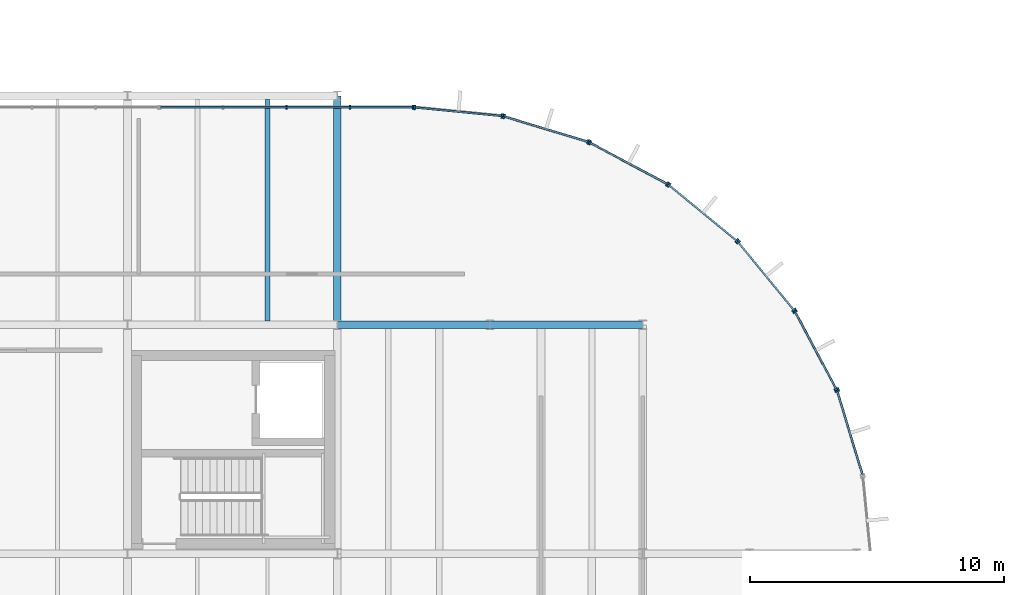
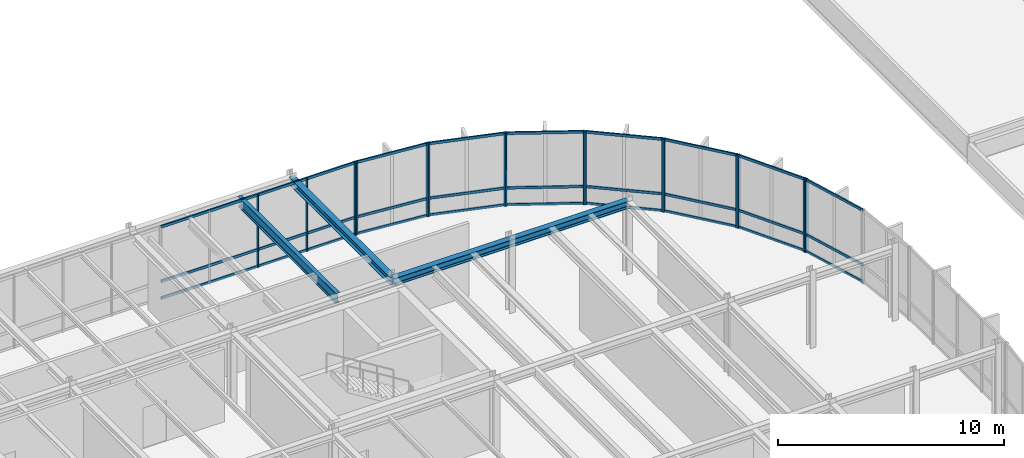
# One storey, part 15 of 31: 40 members, 4 beams, 8 elements without a shape of their own.
"""IFC4 building model written with IfcOpenShell, lengths in metres."""

import ifcopenshell
import ifcopenshell.guid

model = None  # the IFC model being written
_history = None  # IfcOwnerHistory: only IFC2X3 demands one
_inside = {}  # id of a spatial element -> (the spatial element, [elements in it])
_under = {}  # id of a project, library or spatial element -> (it, [spatial elements below it])
_declared = {}  # id of a project -> (the project, [libraries it declares])
_typed = {}  # id of a type object -> (the type object, [elements of that type])
_made_of = {}  # id of a material, layer set ... -> (it, [elements and type objects made of it])


def new_model(schema):
    """Start an empty IFC model of exactly this schema.

    Asked for "IFC4X3", IfcOpenShell would pick the latest addendum, in which some entities
    have other attributes; the version numbers below select the first issue.
    IFC2X3 requires an IfcOwnerHistory on every rooted entity: one is made here for all.
    """
    global model, _history
    if schema == "IFC4X3":
        model = ifcopenshell.file(schema_version=(4, 3, 0, 0))
    else:
        model = ifcopenshell.file(schema=schema)
    _inside.clear()
    _under.clear()
    _declared.clear()
    _typed.clear()
    _made_of.clear()
    _history = None
    if model.schema == "IFC2X3":
        org = make("IfcOrganization", Name="unknown")
        user = make(
            "IfcPersonAndOrganization",
            ThePerson=make("IfcPerson", FamilyName="unknown"),
            TheOrganization=org,
        )
        app = make(
            "IfcApplication",
            ApplicationDeveloper=org,
            Version="unknown",
            ApplicationFullName="unknown",
            ApplicationIdentifier="unknown",
        )
        _history = make(
            "IfcOwnerHistory",
            OwningUser=user,
            OwningApplication=app,
            ChangeAction="ADDED",
            CreationDate=0,
        )
    return model


def make(cls, **values):
    """One entity of the class cls with the attributes given. An attribute that is None is left unset."""
    return model.create_entity(
        cls, **{name: value for name, value in values.items() if value is not None}
    )


def rooted(cls, **values):
    """An entity with a GlobalId (a new one), such as an element, a storey or a relation."""
    return make(cls, GlobalId=ifcopenshell.guid.new(), OwnerHistory=_history, **values)


def si_unit(unit_type, name, prefix=None):
    """IfcSIUnit, for example si_unit("LENGTHUNIT", "METRE", prefix="MILLI")."""
    return make("IfcSIUnit", UnitType=unit_type, Prefix=prefix, Name=name)


def assignment(units):
    """IfcUnitAssignment: the units of a project."""
    return None if units is None else make("IfcUnitAssignment", Units=units)


def point(xyz):
    """IfcCartesianPoint."""
    return None if xyz is None else make("IfcCartesianPoint", Coordinates=xyz)


def direction(xyz):
    """IfcDirection."""
    return None if xyz is None else make("IfcDirection", DirectionRatios=xyz)


def frame(location, z_axis=None, x_axis=None):
    """IfcAxis2Placement3D, a coordinate frame: its origin and axes. An axis left out is left unset."""
    return make(
        "IfcAxis2Placement3D",
        Location=point(location),
        Axis=direction(z_axis),
        RefDirection=direction(x_axis),
    )


def frame_2d(location, x_axis=None):
    """IfcAxis2Placement2D, a coordinate frame in the plane: its origin and x axis."""
    return make(
        "IfcAxis2Placement2D", Location=point(location), RefDirection=direction(x_axis)
    )


def origin():
    """The frame at (0, 0, 0) with its axes left unset."""
    return frame((0.0, 0.0, 0.0))


def origin_2d():
    """The frame at (0, 0) in the plane with its x axis left unset."""
    return frame_2d((0.0, 0.0))


def place(relative_to, where):
    """IfcLocalPlacement: puts the frame where relative to a parent placement (None: the world)."""
    return make(
        "IfcLocalPlacement", PlacementRelTo=relative_to, RelativePlacement=where
    )


def context(
    kind, dimensions, precision=None, world=None, true_north=None, identifier=None
):
    """IfcGeometricRepresentationContext, for example the 3D "Model" context."""
    return make(
        "IfcGeometricRepresentationContext",
        ContextIdentifier=identifier,
        ContextType=kind,
        CoordinateSpaceDimension=dimensions,
        Precision=precision,
        WorldCoordinateSystem=world,
        TrueNorth=true_north,
    )


def subcontext(parent, identifier, kind, view, scale=None):
    """IfcGeometricRepresentationSubContext, for example "Body" below "Model"."""
    return make(
        "IfcGeometricRepresentationSubContext",
        ContextIdentifier=identifier,
        ContextType=kind,
        ParentContext=parent,
        TargetScale=scale,
        TargetView=view,
    )


def project(units=None, contexts=None):
    """IfcProject with its units and contexts."""
    return rooted(
        "IfcProject",
        Name="project",
        RepresentationContexts=contexts,
        UnitsInContext=assignment(units),
    )


def spatial(cls, under=None, at=None, **own):
    """A site, building, storey or space (cls), placed at a placement, below another one or the project."""
    s = rooted(cls, ObjectPlacement=at, **own)
    if under is not None:
        _under.setdefault(under.id(), (under, []))[1].append(s)
    return s


def profile(cls, at=None, kind="AREA", **sizes):
    """A parametric profile (cls). Its sizes go by their IFC names, for example OverallWidth=200.0."""
    return make(cls, ProfileType=kind, Position=at, **sizes)


def rectangle(**sizes):
    """IfcRectangleProfileDef."""
    return profile("IfcRectangleProfileDef", **sizes)


def i_section(**sizes):
    """IfcIShapeProfileDef."""
    return profile("IfcIShapeProfileDef", **sizes)


def extrude(swept, where, along, depth):
    """IfcExtrudedAreaSolid: the profile swept, set in the frame where, extruded along a direction by depth."""
    return make(
        "IfcExtrudedAreaSolid",
        SweptArea=swept,
        Position=where,
        ExtrudedDirection=direction(along),
        Depth=depth,
    )


def shape(context_of_items, identifier, shape_type, items):
    """IfcShapeRepresentation: the items that make up one representation, for example the "Body"."""
    return make(
        "IfcShapeRepresentation",
        ContextOfItems=context_of_items,
        RepresentationIdentifier=identifier,
        RepresentationType=shape_type,
        Items=items,
    )


def material(Name=None, Category=None):
    """IfcMaterial."""
    return make("IfcMaterial", Name=Name, Category=Category)


def layer(
    of_material, thickness, ventilated=None, Name=None, Category=None, Priority=None
):
    """IfcMaterialLayer: one layer of a wall or slab, of a material (None: an air gap)."""
    return make(
        "IfcMaterialLayer",
        Material=of_material,
        LayerThickness=thickness,
        IsVentilated=ventilated,
        Name=Name,
        Category=Category,
        Priority=Priority,
    )


def layer_set(layers, Name=None):
    """IfcMaterialLayerSet."""
    return make("IfcMaterialLayerSet", MaterialLayers=layers, LayerSetName=Name)


def material_profile(
    of_material, cross_section, Name=None, Category=None, Priority=None
):
    """IfcMaterialProfile: a cross section and its material."""
    return make(
        "IfcMaterialProfile",
        Name=Name,
        Material=of_material,
        Profile=cross_section,
        Priority=Priority,
        Category=Category,
    )


def profile_set(profiles, Name=None, composite=None):
    """IfcMaterialProfileSet."""
    return make(
        "IfcMaterialProfileSet",
        Name=Name,
        MaterialProfiles=profiles,
        CompositeProfile=composite,
    )


def made_of(thing, what):
    """Note that an element or type object is made of a material, layer set ...; save() writes the relation."""
    if what is not None:
        _made_of.setdefault(what.id(), (what, []))[1].append(thing)
    return thing


def type_object(cls, material=None, **own):
    """A type object (cls), such as IfcWallType, which elements share."""
    return made_of(rooted(cls, **own), material)


def element(
    cls,
    number,
    at=None,
    inside=None,
    cuts=None,
    type_object=None,
    material=None,
    context=None,
    identifier="Body",
    shape_type=None,
    held_by="IfcProductDefinitionShape",
    body=None,
    shapes=None,
    **own,
):
    """One element of the class cls, such as IfcWall. Its Tag is "e" and its number.

    at: its placement. inside: the storey or other place that contains it. cuts: it is an
    opening in that element (IfcRelVoidsElement). A single representation is given by context,
    identifier, shape_type and body (its items); several are given by shapes. held_by: the class
    of the entity that holds the representations. save() writes the other relations.
    """
    e = rooted(cls, Tag="e%d" % number, ObjectPlacement=at, **own)
    if body is not None:
        shapes = [shape(context, identifier, shape_type, body)]
    if shapes is not None:
        e.Representation = make(held_by, Representations=shapes)
    if inside is not None:
        _inside.setdefault(inside.id(), (inside, []))[1].append(e)
    if cuts is not None:
        rooted(
            "IfcRelVoidsElement", RelatingBuildingElement=cuts, RelatedOpeningElement=e
        )
    if type_object is not None:
        _typed.setdefault(type_object.id(), (type_object, []))[1].append(e)
    return made_of(e, material)


def aggregate(whole, parts):
    """IfcRelAggregates: a whole, such as a stair, and the parts it consists of."""
    return rooted("IfcRelAggregates", RelatingObject=whole, RelatedObjects=parts)


def save(model, path):
    """Write the relations noted so far, then the file.

    IfcRelAggregates (storeys below a building ...), IfcRelContainedInSpatialStructure (elements
    in a storey), IfcRelDefinesByType, IfcRelAssociatesMaterial and IfcRelDeclares: one each for
    every whole, place, type object, material and project.
    """
    for whole, parts in _under.values():
        aggregate(whole, parts)
    for where, things in _inside.values():
        rooted(
            "IfcRelContainedInSpatialStructure",
            RelatedElements=things,
            RelatingStructure=where,
        )
    for kind, things in _typed.values():
        rooted("IfcRelDefinesByType", RelatedObjects=things, RelatingType=kind)
    for what, things in _made_of.values():
        rooted("IfcRelAssociatesMaterial", RelatedObjects=things, RelatingMaterial=what)
    for by, libraries in _declared.values():
        rooted("IfcRelDeclares", RelatingContext=by, RelatedDefinitions=libraries)
    model.write(path)


model = new_model("IFC4")

# Units and contexts
model_context = context("Model", 3, precision=1e-05, world=origin(), true_north=direction((0.0, 1.0)))
body_context = subcontext(model_context, "Body", "Model", "MODEL_VIEW")
ifc_project = project(units=[si_unit("LENGTHUNIT", "METRE"), si_unit("AREAUNIT", "SQUARE_METRE"), si_unit("VOLUMEUNIT", "CUBIC_METRE"), si_unit("PLANEANGLEUNIT", "RADIAN"), si_unit("MASSUNIT", "GRAM", prefix="KILO")], contexts=[model_context])

# Site, building, storey
site_placement = place(None, origin())
site = spatial("IfcSite", under=ifc_project, at=site_placement, CompositionType="ELEMENT")
building_placement = place(site_placement, origin())
building = spatial("IfcBuilding", under=site, at=building_placement, Name="Montealbar Specialist Clinic", CompositionType="ELEMENT")
storey_placement = place(building_placement, frame((0.0, 0.0, 13.800048828125)))
storey = spatial("IfcBuildingStorey", under=building, at=storey_placement, Name="L03", CompositionType="ELEMENT", Elevation=13.800048828125)

# Beams
ifc_material_1 = material(Name="Steel S355", Category="steel")
ifc_material_profile_1 = material_profile(ifc_material_1, i_section(OverallWidth=0.300048828125, OverallDepth=0.39990234375, WebThickness=0.013427734375, FlangeThickness=0.02392578125, FilletRadius=0.027099609375, at=origin_2d()), Name="HEB 400", Category="steel")
ifc_profile_set_1 = profile_set([ifc_material_profile_1], Name="Steel S355")
beam_type_1 = type_object("IfcBeamType", Name="BM-GIRD-HEB400", PredefinedType="BEAM", material=ifc_profile_set_1)
for number, where, z_axis, x_axis, name in (
    (1, (99.0, 36.0, 3.739990234375), (1.0, 0.0, 0.0), (0.0, 1.0, 0.0), "Beam GX-L03-990-1050-360"),
    (2, (105.0, 36.0, 3.739990234375), (1.0, 0.0, 0.0), (0.0, 1.0, 0.0), "Beam GX-L03-1050-1110-360"),
):
    element("IfcBeam", number, at=place(storey_placement, frame(where, z_axis=z_axis, x_axis=x_axis)), inside=storey, type_object=beam_type_1, Name=name, PredefinedType="BEAM", context=body_context, shape_type="SweptSolid", body=[
        extrude(i_section(OverallWidth=0.300048828125, OverallDepth=0.39990234375, WebThickness=0.013427734375, FlangeThickness=0.02392578125, FilletRadius=0.027099609375, at=origin_2d()), origin(), (0.0, 0.0, 1.0), 6.0),
    ])
beam_1_placement = place(storey_placement, frame((99.0, 36.0, 3.739990234375), z_axis=(0.0, 1.0, 0.0), x_axis=(-1.0, 0.0, 0.0)))
element("IfcBeam", 3, at=beam_1_placement, inside=storey, type_object=beam_type_1, Name="Beam GY-L03-990-360-450", PredefinedType="BEAM", context=body_context, shape_type="SweptSolid", body=[
    extrude(i_section(OverallWidth=0.300048828125, OverallDepth=0.39990234375, WebThickness=0.013427734375, FlangeThickness=0.02392578125, FilletRadius=0.027099609375, at=origin_2d()), origin(), (0.0, 0.0, 1.0), 9.0),
])
ifc_material_profile_2 = material_profile(ifc_material_1, i_section(OverallWidth=0.2099609375, OverallDepth=0.550048828125, WebThickness=0.010986328125, FlangeThickness=0.01708984375, FilletRadius=0.02392578125, at=origin_2d()), Name="IPE 550", Category="steel")
ifc_profile_set_2 = profile_set([ifc_material_profile_2], Name="Steel S355")
beam_type_2 = type_object("IfcBeamType", Name="BM-JST-IPE550", PredefinedType="JOIST", material=ifc_profile_set_2)
beam_2_placement = place(storey_placement, frame((96.25, 36.14990234375, 3.6650390625), z_axis=(0.0, 1.0, 0.0), x_axis=(-1.0, 0.0, 0.0)))
element("IfcBeam", 4, at=beam_2_placement, inside=storey, type_object=beam_type_2, Name="Beam JST-L03-962-362-448", PredefinedType="JOIST", context=body_context, shape_type="SweptSolid", body=[
    extrude(i_section(OverallWidth=0.2099609375, OverallDepth=0.550048828125, WebThickness=0.010986328125, FlangeThickness=0.01708984375, FilletRadius=0.02392578125, at=origin_2d()), origin(), (0.0, 0.0, 1.0), 8.7001953125),
])

# Curtain wall, members
ifc_material_2 = material(Name="Low-E double glazing", Category="glass")
ifc_layer_1 = layer(ifc_material_2, 0.199951171875, Name="Low-E double glazing", Category="glass")
ifc_layer_set_1 = layer_set([ifc_layer_1], Name="Low-E double glazing")
curtain_wall_type_1 = type_object("IfcCurtainWallType", Name="CW-TYPE-20", PredefinedType="NOTDEFINED", material=ifc_layer_set_1)
curtain_wall_1_placement = place(storey_placement, origin())
curtain_wall_1 = element("IfcCurtainWall", 5, at=curtain_wall_1_placement, inside=storey, type_object=curtain_wall_type_1, Name="Unitised Curtain Wall CW-L03-920-446-1020-446-138", PredefinedType="NOTDEFINED")
ifc_material_3 = material(Name="Anodised aluminium EN AW-6063", Category="aluminium")
ifc_material_profile_3 = material_profile(ifc_material_3, rectangle(XDim=0.06005859375, YDim=0.159912109375, at=origin_2d()), Name="ALU 60x160", Category="aluminium")
ifc_profile_set_3 = profile_set([ifc_material_profile_3], Name="Anodised aluminium EN AW-6063")
member_type_1 = type_object("IfcMemberType", Name="CW-MUL-160", PredefinedType="MULLION", material=ifc_profile_set_3)
member_1_placement = place(storey_placement, frame((97.0, 44.550048828125, 0.0), z_axis=(0.0, 0.0, 1.0), x_axis=(1.0, 0.0, 0.0)))
member_1 = element("IfcMember", 6, at=member_1_placement, type_object=member_type_1, Name="Curtain Wall Mullion CW-L03-920-446-1020-446-138-02", PredefinedType="MULLION", context=body_context, shape_type="SweptSolid", body=[
    extrude(rectangle(XDim=0.06005859375, YDim=0.159912109375, at=origin_2d()), origin(), (0.0, 0.0, 1.0), 3.93994140625),
])
member_2_placement = place(storey_placement, frame((99.5, 44.550048828125, 0.0), z_axis=(0.0, 0.0, 1.0), x_axis=(1.0, 0.0, 0.0)))
member_2 = element("IfcMember", 7, at=member_2_placement, type_object=member_type_1, Name="Curtain Wall Mullion CW-L03-920-446-1020-446-138-03", PredefinedType="MULLION", context=body_context, shape_type="SweptSolid", body=[
    extrude(rectangle(XDim=0.06005859375, YDim=0.159912109375, at=origin_2d()), origin(), (0.0, 0.0, 1.0), 3.93994140625),
])
member_3_placement = place(storey_placement, frame((101.965087890625, 44.550048828125, 0.0), z_axis=(0.0, 0.0, 1.0), x_axis=(1.0, 0.0, 0.0)))
member_3 = element("IfcMember", 8, at=member_3_placement, type_object=member_type_1, Name="Curtain Wall Mullion CW-L03-920-446-1020-446-138-04", PredefinedType="MULLION", context=body_context, shape_type="SweptSolid", body=[
    extrude(rectangle(XDim=0.06005859375, YDim=0.159912109375, at=origin_2d()), origin(), (0.0, 0.0, 1.0), 3.93994140625),
])

ifc_layer_2 = layer(ifc_material_2, 0.199951171875, Name="Low-E double glazing", Category="glass")
ifc_layer_set_2 = layer_set([ifc_layer_2], Name="Low-E double glazing")
curtain_wall_type_2 = type_object("IfcCurtainWallType", Name="CW-TYPE-19", PredefinedType="NOTDEFINED", material=ifc_layer_set_2)
curtain_wall_2_placement = place(storey_placement, origin())
curtain_wall_2 = element("IfcCurtainWall", 9, at=curtain_wall_2_placement, inside=storey, type_object=curtain_wall_type_2, Name="Unitised Curtain Wall CW-L03-1020-446-1055-442-138", PredefinedType="NOTDEFINED")
ifc_material_profile_4 = material_profile(ifc_material_3, rectangle(XDim=0.070068359375, YDim=0.179931640625, at=origin_2d()), Name="ALU 70x180", Category="aluminium")
ifc_profile_set_4 = profile_set([ifc_material_profile_4], Name="Anodised aluminium EN AW-6063")
member_type_2 = type_object("IfcMemberType", Name="CW-MUL-200", PredefinedType="MULLION", material=ifc_profile_set_4)
member_4_placement = place(storey_placement, frame((102.0400390625, 44.5458984375, 0.0), z_axis=(0.0, 0.0, 1.0), x_axis=(0.995182012183, -0.098044697094, 0.0)))
member_4 = element("IfcMember", 10, at=member_4_placement, type_object=member_type_2, Name="Curtain Wall Mullion CW-L03-1020-446-1055-442-138-00", PredefinedType="MULLION", context=body_context, shape_type="SweptSolid", body=[
    extrude(rectangle(XDim=0.070068359375, YDim=0.179931640625, at=origin_2d()), origin(), (0.0, 0.0, 1.0), 3.93994140625),
])
member_5_placement = place(storey_placement, frame((105.471923828125, 44.2080078125, 0.0), z_axis=(0.0, 0.0, 1.0), x_axis=(0.995182012183, -0.098044697094, 0.0)))
member_5 = element("IfcMember", 11, at=member_5_placement, type_object=member_type_2, Name="Curtain Wall Mullion CW-L03-1020-446-1055-442-138-01", PredefinedType="MULLION", context=body_context, shape_type="SweptSolid", body=[
    extrude(rectangle(XDim=0.070068359375, YDim=0.179931640625, at=origin_2d()), origin(), (0.0, 0.0, 1.0), 3.93994140625),
])

curtain_wall_3_placement = place(storey_placement, origin())
curtain_wall_3 = element("IfcCurtainWall", 12, at=curtain_wall_3_placement, inside=storey, type_object=curtain_wall_type_2, Name="Unitised Curtain Wall CW-L03-1055-442-1089-432-138", PredefinedType="NOTDEFINED")
member_6_placement = place(storey_placement, frame((105.550048828125, 44.19189453125, 0.0), z_axis=(0.0, 0.0, 1.0), x_axis=(0.956948083701, -0.290259134399, 0.0)))
member_6 = element("IfcMember", 13, at=member_6_placement, type_object=member_type_2, Name="Curtain Wall Mullion CW-L03-1055-442-1089-432-138-00", PredefinedType="MULLION", context=body_context, shape_type="SweptSolid", body=[
    extrude(rectangle(XDim=0.070068359375, YDim=0.179931640625, at=origin_2d()), origin(), (0.0, 0.0, 1.0), 3.93994140625),
])
member_7_placement = place(storey_placement, frame((108.85009765625, 43.19189453125, 0.0), z_axis=(0.0, 0.0, 1.0), x_axis=(0.956948083701, -0.290259134399, 0.0)))
member_7 = element("IfcMember", 14, at=member_7_placement, type_object=member_type_2, Name="Curtain Wall Mullion CW-L03-1055-442-1089-432-138-01", PredefinedType="MULLION", context=body_context, shape_type="SweptSolid", body=[
    extrude(rectangle(XDim=0.070068359375, YDim=0.179931640625, at=origin_2d()), origin(), (0.0, 0.0, 1.0), 3.93994140625),
])

curtain_wall_4_placement = place(storey_placement, origin())
curtain_wall_4 = element("IfcCurtainWall", 15, at=curtain_wall_4_placement, inside=storey, type_object=curtain_wall_type_2, Name="Unitised Curtain Wall CW-L03-1089-432-1120-415-138", PredefinedType="NOTDEFINED")
member_8_placement = place(storey_placement, frame((108.923095703125, 43.160888671875, 0.0), z_axis=(0.0, 0.0, 1.0), x_axis=(0.881850411644, -0.471529268958, 0.0)))
member_8 = element("IfcMember", 16, at=member_8_placement, type_object=member_type_2, Name="Curtain Wall Mullion CW-L03-1089-432-1120-415-138-00", PredefinedType="MULLION", context=body_context, shape_type="SweptSolid", body=[
    extrude(rectangle(XDim=0.070068359375, YDim=0.179931640625, at=origin_2d()), origin(), (0.0, 0.0, 1.0), 3.93994140625),
])
member_9_placement = place(storey_placement, frame((111.965087890625, 41.534912109375, 0.0), z_axis=(0.0, 0.0, 1.0), x_axis=(0.881850411644, -0.471529268958, 0.0)))
member_9 = element("IfcMember", 17, at=member_9_placement, type_object=member_type_2, Name="Curtain Wall Mullion CW-L03-1089-432-1120-415-138-01", PredefinedType="MULLION", context=body_context, shape_type="SweptSolid", body=[
    extrude(rectangle(XDim=0.070068359375, YDim=0.179931640625, at=origin_2d()), origin(), (0.0, 0.0, 1.0), 3.93994140625),
])

curtain_wall_5_placement = place(storey_placement, origin())
curtain_wall_5 = element("IfcCurtainWall", 18, at=curtain_wall_5_placement, inside=storey, type_object=curtain_wall_type_2, Name="Unitised Curtain Wall CW-L03-1120-415-1147-393-138", PredefinedType="NOTDEFINED")
member_10_placement = place(storey_placement, frame((112.031005859375, 41.490966796875, 0.0), z_axis=(0.0, 0.0, 1.0), x_axis=(0.773123255923, -0.634255808922, 0.0)))
member_10 = element("IfcMember", 19, at=member_10_placement, type_object=member_type_2, Name="Curtain Wall Mullion CW-L03-1120-415-1147-393-138-00", PredefinedType="MULLION", context=body_context, shape_type="SweptSolid", body=[
    extrude(rectangle(XDim=0.070068359375, YDim=0.179931640625, at=origin_2d()), origin(), (0.0, 0.0, 1.0), 3.93994140625),
])
member_11_placement = place(storey_placement, frame((114.697021484375, 39.302978515625, 0.0), z_axis=(0.0, 0.0, 1.0), x_axis=(0.773123255923, -0.634255808922, 0.0)))
member_11 = element("IfcMember", 20, at=member_11_placement, type_object=member_type_2, Name="Curtain Wall Mullion CW-L03-1120-415-1147-393-138-01", PredefinedType="MULLION", context=body_context, shape_type="SweptSolid", body=[
    extrude(rectangle(XDim=0.070068359375, YDim=0.179931640625, at=origin_2d()), origin(), (0.0, 0.0, 1.0), 3.93994140625),
])

curtain_wall_6_placement = place(storey_placement, origin())
curtain_wall_6 = element("IfcCurtainWall", 21, at=curtain_wall_6_placement, inside=storey, type_object=curtain_wall_type_2, Name="Unitised Curtain Wall CW-L03-1147-393-1170-366-138", PredefinedType="NOTDEFINED")
member_12_placement = place(storey_placement, frame((114.7529296875, 39.2470703125, 0.0), z_axis=(0.0, 0.0, 1.0), x_axis=(0.634255808922, -0.773123255923, 0.0)))
member_12 = element("IfcMember", 22, at=member_12_placement, type_object=member_type_2, Name="Curtain Wall Mullion CW-L03-1147-393-1170-366-138-00", PredefinedType="MULLION", context=body_context, shape_type="SweptSolid", body=[
    extrude(rectangle(XDim=0.070068359375, YDim=0.179931640625, at=origin_2d()), origin(), (0.0, 0.0, 1.0), 3.93994140625),
])
member_13_placement = place(storey_placement, frame((116.94091796875, 36.5810546875, 0.0), z_axis=(0.0, 0.0, 1.0), x_axis=(0.634255808922, -0.773123255923, 0.0)))
member_13 = element("IfcMember", 23, at=member_13_placement, type_object=member_type_2, Name="Curtain Wall Mullion CW-L03-1147-393-1170-366-138-01", PredefinedType="MULLION", context=body_context, shape_type="SweptSolid", body=[
    extrude(rectangle(XDim=0.070068359375, YDim=0.179931640625, at=origin_2d()), origin(), (0.0, 0.0, 1.0), 3.93994140625),
])

curtain_wall_7_placement = place(storey_placement, origin())
curtain_wall_7 = element("IfcCurtainWall", 24, at=curtain_wall_7_placement, inside=storey, type_object=curtain_wall_type_2, Name="Unitised Curtain Wall CW-L03-1170-366-1186-334-138", PredefinedType="NOTDEFINED")
member_14_placement = place(storey_placement, frame((116.985107421875, 36.514892578125, 0.0), z_axis=(0.0, 0.0, 1.0), x_axis=(0.471529268958, -0.881850411644, 0.0)))
member_14 = element("IfcMember", 25, at=member_14_placement, type_object=member_type_2, Name="Curtain Wall Mullion CW-L03-1170-366-1186-334-138-00", PredefinedType="MULLION", context=body_context, shape_type="SweptSolid", body=[
    extrude(rectangle(XDim=0.070068359375, YDim=0.179931640625, at=origin_2d()), origin(), (0.0, 0.0, 1.0), 3.93994140625),
])
member_15_placement = place(storey_placement, frame((118.611083984375, 33.472900390625, 0.0), z_axis=(0.0, 0.0, 1.0), x_axis=(0.471529268958, -0.881850411644, 0.0)))
member_15 = element("IfcMember", 26, at=member_15_placement, type_object=member_type_2, Name="Curtain Wall Mullion CW-L03-1170-366-1186-334-138-01", PredefinedType="MULLION", context=body_context, shape_type="SweptSolid", body=[
    extrude(rectangle(XDim=0.070068359375, YDim=0.179931640625, at=origin_2d()), origin(), (0.0, 0.0, 1.0), 3.93994140625),
])

# Curtain wall, member
curtain_wall_8_placement = place(storey_placement, origin())
curtain_wall_8 = element("IfcCurtainWall", 27, at=curtain_wall_8_placement, inside=storey, type_object=curtain_wall_type_2, Name="Unitised Curtain Wall CW-L03-1186-334-1197-301-138", PredefinedType="NOTDEFINED")
member_16_placement = place(storey_placement, frame((118.64208984375, 33.39990234375, 0.0), z_axis=(0.0, 0.0, 1.0), x_axis=(0.290259134399, -0.956948083701, 0.0)))
member_16 = element("IfcMember", 28, at=member_16_placement, type_object=member_type_2, Name="Curtain Wall Mullion CW-L03-1186-334-1197-301-138-00", PredefinedType="MULLION", context=body_context, shape_type="SweptSolid", body=[
    extrude(rectangle(XDim=0.070068359375, YDim=0.179931640625, at=origin_2d()), origin(), (0.0, 0.0, 1.0), 3.93994140625),
])

# Member
ifc_material_4 = material(Name="Powder-coated aluminium", Category="aluminium")
ifc_material_profile_5 = material_profile(ifc_material_4, rectangle(XDim=0.070068359375, YDim=0.139892578125, at=origin_2d()), Name="ALU 70x140", Category="aluminium")
ifc_profile_set_5 = profile_set([ifc_material_profile_5], Name="Powder-coated aluminium")
member_type_3 = type_object("IfcMemberType", Name="CW-TRN-140", PredefinedType="USERDEFINED", material=ifc_profile_set_5)
member_17_placement = place(storey_placement, frame((92.050048828125, 44.550048828125, 0.0400390625), z_axis=(1.0, 0.0, 0.0), x_axis=(0.0, 1.0, 0.0)))
member_17 = element("IfcMember", 29, at=member_17_placement, type_object=member_type_3, Name="Curtain Wall Transom CW-L03-920-446-1020-446-138-00", ObjectType="TRANSOM", PredefinedType="USERDEFINED", context=body_context, shape_type="SweptSolid", body=[
    extrude(rectangle(XDim=0.070068359375, YDim=0.139892578125, at=origin_2d()), origin(), (0.0, 0.0, 1.0), 9.89990234375),
])

member_18_placement = place(storey_placement, frame((92.050048828125, 44.550048828125, 0.949951171875), z_axis=(1.0, 0.0, 0.0), x_axis=(0.0, 1.0, 0.0)))
member_18 = element("IfcMember", 30, at=member_18_placement, type_object=member_type_3, Name="Curtain Wall Transom CW-L03-920-446-1020-446-138-01", ObjectType="TRANSOM", PredefinedType="USERDEFINED", context=body_context, shape_type="SweptSolid", body=[
    extrude(rectangle(XDim=0.070068359375, YDim=0.139892578125, at=origin_2d()), origin(), (0.0, 0.0, 1.0), 9.89990234375),
])

member_19_placement = place(storey_placement, frame((92.050048828125, 44.550048828125, 3.89990234375), z_axis=(1.0, 0.0, 0.0), x_axis=(0.0, 1.0, 0.0)))
member_19 = element("IfcMember", 31, at=member_19_placement, type_object=member_type_3, Name="Curtain Wall Transom CW-L03-920-446-1020-446-138-02", ObjectType="TRANSOM", PredefinedType="USERDEFINED", context=body_context, shape_type="SweptSolid", body=[
    extrude(rectangle(XDim=0.070068359375, YDim=0.139892578125, at=origin_2d()), origin(), (0.0, 0.0, 1.0), 9.89990234375),
])

aggregate(curtain_wall_1, [member_1, member_2, member_3, member_17, member_18, member_19])

member_20_placement = place(storey_placement, frame((102.050048828125, 44.544921875, 0.0400390625), z_axis=(0.995187625394, -0.097987704654, 0.0), x_axis=(0.097987704654, 0.995187625394, 0.0)))
member_20 = element("IfcMember", 32, at=member_20_placement, type_object=member_type_3, Name="Curtain Wall Transom CW-L03-1020-446-1055-442-138-00", ObjectType="TRANSOM", PredefinedType="USERDEFINED", context=body_context, shape_type="SweptSolid", body=[
    extrude(rectangle(XDim=0.070068359375, YDim=0.139892578125, at=origin_2d()), origin(), (0.0, 0.0, 1.0), 3.428466796875),
])

member_21_placement = place(storey_placement, frame((102.050048828125, 44.544921875, 0.949951171875), z_axis=(0.995187625394, -0.097987704654, 0.0), x_axis=(0.097987704654, 0.995187625394, 0.0)))
member_21 = element("IfcMember", 33, at=member_21_placement, type_object=member_type_3, Name="Curtain Wall Transom CW-L03-1020-446-1055-442-138-01", ObjectType="TRANSOM", PredefinedType="USERDEFINED", context=body_context, shape_type="SweptSolid", body=[
    extrude(rectangle(XDim=0.070068359375, YDim=0.139892578125, at=origin_2d()), origin(), (0.0, 0.0, 1.0), 3.428466796875),
])

member_22_placement = place(storey_placement, frame((102.050048828125, 44.544921875, 3.89990234375), z_axis=(0.995187625394, -0.097987704654, 0.0), x_axis=(0.097987704654, 0.995187625394, 0.0)))
member_22 = element("IfcMember", 34, at=member_22_placement, type_object=member_type_3, Name="Curtain Wall Transom CW-L03-1020-446-1055-442-138-02", ObjectType="TRANSOM", PredefinedType="USERDEFINED", context=body_context, shape_type="SweptSolid", body=[
    extrude(rectangle(XDim=0.070068359375, YDim=0.139892578125, at=origin_2d()), origin(), (0.0, 0.0, 1.0), 3.428466796875),
])

aggregate(curtain_wall_2, [member_4, member_5, member_20, member_21, member_22])

member_23_placement = place(storey_placement, frame((105.56005859375, 44.18896484375, 0.0400390625), z_axis=(0.957028598092, -0.289993555849, 0.0), x_axis=(0.289993555849, 0.957028598092, 0.0)))
member_23 = element("IfcMember", 35, at=member_23_placement, type_object=member_type_3, Name="Curtain Wall Transom CW-L03-1055-442-1089-432-138-00", ObjectType="TRANSOM", PredefinedType="USERDEFINED", context=body_context, shape_type="SweptSolid", body=[
    extrude(rectangle(XDim=0.070068359375, YDim=0.139892578125, at=origin_2d()), origin(), (0.0, 0.0, 1.0), 3.42724609375),
])

member_24_placement = place(storey_placement, frame((105.56005859375, 44.18896484375, 0.949951171875), z_axis=(0.957028598092, -0.289993555849, 0.0), x_axis=(0.289993555849, 0.957028598092, 0.0)))
member_24 = element("IfcMember", 36, at=member_24_placement, type_object=member_type_3, Name="Curtain Wall Transom CW-L03-1055-442-1089-432-138-01", ObjectType="TRANSOM", PredefinedType="USERDEFINED", context=body_context, shape_type="SweptSolid", body=[
    extrude(rectangle(XDim=0.070068359375, YDim=0.139892578125, at=origin_2d()), origin(), (0.0, 0.0, 1.0), 3.42724609375),
])

member_25_placement = place(storey_placement, frame((105.56005859375, 44.18896484375, 3.89990234375), z_axis=(0.957028598092, -0.289993555849, 0.0), x_axis=(0.289993555849, 0.957028598092, 0.0)))
member_25 = element("IfcMember", 37, at=member_25_placement, type_object=member_type_3, Name="Curtain Wall Transom CW-L03-1055-442-1089-432-138-02", ObjectType="TRANSOM", PredefinedType="USERDEFINED", context=body_context, shape_type="SweptSolid", body=[
    extrude(rectangle(XDim=0.070068359375, YDim=0.139892578125, at=origin_2d()), origin(), (0.0, 0.0, 1.0), 3.42724609375),
])

aggregate(curtain_wall_3, [member_6, member_7, member_23, member_24, member_25])

member_26_placement = place(storey_placement, frame((108.931884765625, 43.156005859375, 0.0400390625), z_axis=(0.881980147273, -0.471286558069, 0.0), x_axis=(0.471286558069, 0.881980147273, 0.0)))
member_26 = element("IfcMember", 38, at=member_26_placement, type_object=member_type_3, Name="Curtain Wall Transom CW-L03-1089-432-1120-415-138-00", ObjectType="TRANSOM", PredefinedType="USERDEFINED", context=body_context, shape_type="SweptSolid", body=[
    extrude(rectangle(XDim=0.070068359375, YDim=0.139892578125, at=origin_2d()), origin(), (0.0, 0.0, 1.0), 3.428955078125),
])

member_27_placement = place(storey_placement, frame((108.931884765625, 43.156005859375, 0.949951171875), z_axis=(0.881980147273, -0.471286558069, 0.0), x_axis=(0.471286558069, 0.881980147273, 0.0)))
member_27 = element("IfcMember", 39, at=member_27_placement, type_object=member_type_3, Name="Curtain Wall Transom CW-L03-1089-432-1120-415-138-01", ObjectType="TRANSOM", PredefinedType="USERDEFINED", context=body_context, shape_type="SweptSolid", body=[
    extrude(rectangle(XDim=0.070068359375, YDim=0.139892578125, at=origin_2d()), origin(), (0.0, 0.0, 1.0), 3.428955078125),
])

member_28_placement = place(storey_placement, frame((108.931884765625, 43.156005859375, 3.89990234375), z_axis=(0.881980147273, -0.471286558069, 0.0), x_axis=(0.471286558069, 0.881980147273, 0.0)))
member_28 = element("IfcMember", 40, at=member_28_placement, type_object=member_type_3, Name="Curtain Wall Transom CW-L03-1089-432-1120-415-138-02", ObjectType="TRANSOM", PredefinedType="USERDEFINED", context=body_context, shape_type="SweptSolid", body=[
    extrude(rectangle(XDim=0.070068359375, YDim=0.139892578125, at=origin_2d()), origin(), (0.0, 0.0, 1.0), 3.428955078125),
])

aggregate(curtain_wall_4, [member_8, member_9, member_26, member_27, member_28])

member_29_placement = place(storey_placement, frame((112.0390625, 41.48388671875, 0.0400390625), z_axis=(0.773137851948, -0.634238016745, 0.0), x_axis=(0.634238016745, 0.773137851948, 0.0)))
member_29 = element("IfcMember", 41, at=member_29_placement, type_object=member_type_3, Name="Curtain Wall Transom CW-L03-1120-415-1147-393-138-00", ObjectType="TRANSOM", PredefinedType="USERDEFINED", context=body_context, shape_type="SweptSolid", body=[
    extrude(rectangle(XDim=0.070068359375, YDim=0.139892578125, at=origin_2d()), origin(), (0.0, 0.0, 1.0), 3.427490234375),
])

member_30_placement = place(storey_placement, frame((112.0390625, 41.48388671875, 0.949951171875), z_axis=(0.773137851948, -0.634238016745, 0.0), x_axis=(0.634238016745, 0.773137851948, 0.0)))
member_30 = element("IfcMember", 42, at=member_30_placement, type_object=member_type_3, Name="Curtain Wall Transom CW-L03-1120-415-1147-393-138-01", ObjectType="TRANSOM", PredefinedType="USERDEFINED", context=body_context, shape_type="SweptSolid", body=[
    extrude(rectangle(XDim=0.070068359375, YDim=0.139892578125, at=origin_2d()), origin(), (0.0, 0.0, 1.0), 3.427490234375),
])

member_31_placement = place(storey_placement, frame((112.0390625, 41.48388671875, 3.89990234375), z_axis=(0.773137851948, -0.634238016745, 0.0), x_axis=(0.634238016745, 0.773137851948, 0.0)))
member_31 = element("IfcMember", 43, at=member_31_placement, type_object=member_type_3, Name="Curtain Wall Transom CW-L03-1120-415-1147-393-138-02", ObjectType="TRANSOM", PredefinedType="USERDEFINED", context=body_context, shape_type="SweptSolid", body=[
    extrude(rectangle(XDim=0.070068359375, YDim=0.139892578125, at=origin_2d()), origin(), (0.0, 0.0, 1.0), 3.427490234375),
])

aggregate(curtain_wall_5, [member_10, member_11, member_29, member_30, member_31])

member_32_placement = place(storey_placement, frame((114.760009765625, 39.239013671875, 0.0400390625), z_axis=(0.634280591441, -0.773102924144, 0.0), x_axis=(0.773102924144, 0.634280591441, 0.0)))
member_32 = element("IfcMember", 44, at=member_32_placement, type_object=member_type_3, Name="Curtain Wall Transom CW-L03-1147-393-1170-366-138-00", ObjectType="TRANSOM", PredefinedType="USERDEFINED", context=body_context, shape_type="SweptSolid", body=[
    extrude(rectangle(XDim=0.070068359375, YDim=0.139892578125, at=origin_2d()), origin(), (0.0, 0.0, 1.0), 3.427734375),
])

member_33_placement = place(storey_placement, frame((114.760009765625, 39.239013671875, 0.949951171875), z_axis=(0.634280591441, -0.773102924144, 0.0), x_axis=(0.773102924144, 0.634280591441, 0.0)))
member_33 = element("IfcMember", 45, at=member_33_placement, type_object=member_type_3, Name="Curtain Wall Transom CW-L03-1147-393-1170-366-138-01", ObjectType="TRANSOM", PredefinedType="USERDEFINED", context=body_context, shape_type="SweptSolid", body=[
    extrude(rectangle(XDim=0.070068359375, YDim=0.139892578125, at=origin_2d()), origin(), (0.0, 0.0, 1.0), 3.427734375),
])

member_34_placement = place(storey_placement, frame((114.760009765625, 39.239013671875, 3.89990234375), z_axis=(0.634280591441, -0.773102924144, 0.0), x_axis=(0.773102924144, 0.634280591441, 0.0)))
member_34 = element("IfcMember", 46, at=member_34_placement, type_object=member_type_3, Name="Curtain Wall Transom CW-L03-1147-393-1170-366-138-02", ObjectType="TRANSOM", PredefinedType="USERDEFINED", context=body_context, shape_type="SweptSolid", body=[
    extrude(rectangle(XDim=0.070068359375, YDim=0.139892578125, at=origin_2d()), origin(), (0.0, 0.0, 1.0), 3.427734375),
])

aggregate(curtain_wall_6, [member_12, member_13, member_32, member_33, member_34])

member_35_placement = place(storey_placement, frame((116.989990234375, 36.506103515625, 0.0400390625), z_axis=(0.471286558069, -0.881980147273, 0.0), x_axis=(0.881980147273, 0.471286558069, 0.0)))
member_35 = element("IfcMember", 47, at=member_35_placement, type_object=member_type_3, Name="Curtain Wall Transom CW-L03-1170-366-1186-334-138-00", ObjectType="TRANSOM", PredefinedType="USERDEFINED", context=body_context, shape_type="SweptSolid", body=[
    extrude(rectangle(XDim=0.070068359375, YDim=0.139892578125, at=origin_2d()), origin(), (0.0, 0.0, 1.0), 3.428955078125),
])

member_36_placement = place(storey_placement, frame((116.989990234375, 36.506103515625, 0.949951171875), z_axis=(0.471286558069, -0.881980147273, 0.0), x_axis=(0.881980147273, 0.471286558069, 0.0)))
member_36 = element("IfcMember", 48, at=member_36_placement, type_object=member_type_3, Name="Curtain Wall Transom CW-L03-1170-366-1186-334-138-01", ObjectType="TRANSOM", PredefinedType="USERDEFINED", context=body_context, shape_type="SweptSolid", body=[
    extrude(rectangle(XDim=0.070068359375, YDim=0.139892578125, at=origin_2d()), origin(), (0.0, 0.0, 1.0), 3.428955078125),
])

member_37_placement = place(storey_placement, frame((116.989990234375, 36.506103515625, 3.89990234375), z_axis=(0.471286558069, -0.881980147273, 0.0), x_axis=(0.881980147273, 0.471286558069, 0.0)))
member_37 = element("IfcMember", 49, at=member_37_placement, type_object=member_type_3, Name="Curtain Wall Transom CW-L03-1170-366-1186-334-138-02", ObjectType="TRANSOM", PredefinedType="USERDEFINED", context=body_context, shape_type="SweptSolid", body=[
    extrude(rectangle(XDim=0.070068359375, YDim=0.139892578125, at=origin_2d()), origin(), (0.0, 0.0, 1.0), 3.428955078125),
])

aggregate(curtain_wall_7, [member_14, member_15, member_35, member_36, member_37])

member_38_placement = place(storey_placement, frame((118.64501953125, 33.389892578125, 0.0400390625), z_axis=(0.290013326855, -0.957022606967, 0.0), x_axis=(0.957022606967, 0.290013326855, 0.0)))
member_38 = element("IfcMember", 50, at=member_38_placement, type_object=member_type_3, Name="Curtain Wall Transom CW-L03-1186-334-1197-301-138-00", ObjectType="TRANSOM", PredefinedType="USERDEFINED", context=body_context, shape_type="SweptSolid", body=[
    extrude(rectangle(XDim=0.070068359375, YDim=0.139892578125, at=origin_2d()), origin(), (0.0, 0.0, 1.0), 3.427001953125),
])

member_39_placement = place(storey_placement, frame((118.64501953125, 33.389892578125, 0.949951171875), z_axis=(0.290013326855, -0.957022606967, 0.0), x_axis=(0.957022606967, 0.290013326855, 0.0)))
member_39 = element("IfcMember", 51, at=member_39_placement, type_object=member_type_3, Name="Curtain Wall Transom CW-L03-1186-334-1197-301-138-01", ObjectType="TRANSOM", PredefinedType="USERDEFINED", context=body_context, shape_type="SweptSolid", body=[
    extrude(rectangle(XDim=0.070068359375, YDim=0.139892578125, at=origin_2d()), origin(), (0.0, 0.0, 1.0), 3.427001953125),
])

member_40_placement = place(storey_placement, frame((118.64501953125, 33.389892578125, 3.89990234375), z_axis=(0.290013326855, -0.957022606967, 0.0), x_axis=(0.957022606967, 0.290013326855, 0.0)))
member_40 = element("IfcMember", 52, at=member_40_placement, type_object=member_type_3, Name="Curtain Wall Transom CW-L03-1186-334-1197-301-138-02", ObjectType="TRANSOM", PredefinedType="USERDEFINED", context=body_context, shape_type="SweptSolid", body=[
    extrude(rectangle(XDim=0.070068359375, YDim=0.139892578125, at=origin_2d()), origin(), (0.0, 0.0, 1.0), 3.427001953125),
])

aggregate(curtain_wall_8, [member_16, member_38, member_39, member_40])

save(model, "model.ifc")
